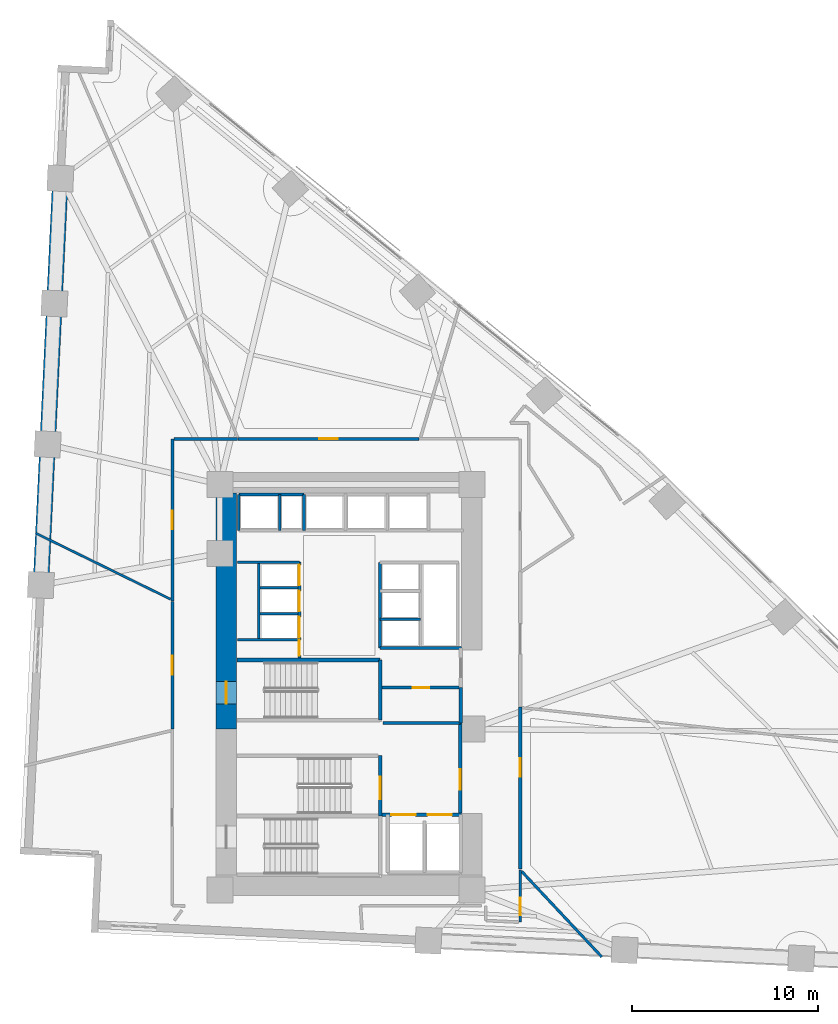
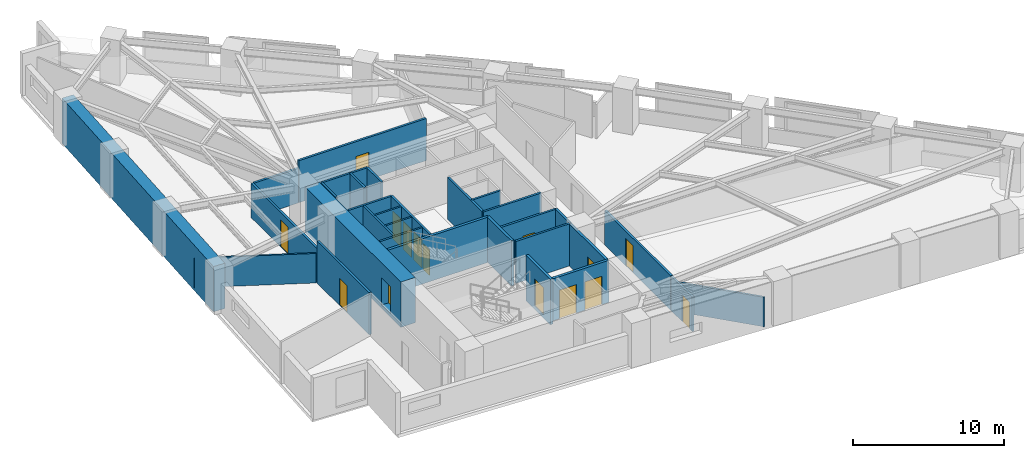
# One storey, part 13 of 17: 31 walls, 15 doors, 15 openings.
"""IFC4 building model written with IfcOpenShell, lengths in metres."""

from ifc_helpers import new_model, si_unit, direction, frame, frame_2d, origin, place, context, subcontext, project, spatial, rectangle, extrude, material, layer, layer_set, type_object, element, fill, save


model = new_model("IFC4")

# Units and contexts
model_context = context("Model", 3, precision=1e-05, world=origin(), true_north=direction((0.0, 1.0)))
body_context = subcontext(model_context, "Body", "Model", "MODEL_VIEW")
ifc_project = project(units=[si_unit("LENGTHUNIT", "METRE"), si_unit("AREAUNIT", "SQUARE_METRE"), si_unit("VOLUMEUNIT", "CUBIC_METRE"), si_unit("PLANEANGLEUNIT", "RADIAN"), si_unit("MASSUNIT", "GRAM", prefix="KILO")], contexts=[model_context])

# Site, building, storey
site_placement = place(None, origin())
site = spatial("IfcSite", under=ifc_project, at=site_placement, CompositionType="ELEMENT")
building_placement = place(site_placement, origin())
building = spatial("IfcBuilding", under=site, at=building_placement, Name="Narakoshi Arena Tower", CompositionType="ELEMENT")
storey_placement = place(building_placement, frame((0.0, 0.0, 48.300048828125)))
storey = spatial("IfcBuildingStorey", under=building, at=storey_placement, Name="L12", CompositionType="ELEMENT", Elevation=48.300048828125)

# Wall, opening, door
ifc_material_1 = material(Name="Concrete C60/75", Category="concrete")
ifc_layer_1 = layer(ifc_material_1, 1.10009765625)
ifc_layer_set_1 = layer_set([ifc_layer_1], Name="Concrete C60/75")
wall_type_1 = type_object("IfcWallType", Name="WL-CORE-1100", PredefinedType="SHEAR", material=ifc_layer_set_1)
wall_1_placement = place(storey_placement, frame((72.35009765625, 43.35009765625, -0.260009765625), z_axis=(0.0, 0.0, 1.0), x_axis=(0.0, 1.0, 0.0)))
wall_1 = element("IfcWall", 1, at=wall_1_placement, inside=storey, type_object=wall_type_1, Name="L12 Main Core Shear Wall CW-MN-W", PredefinedType="SHEAR", context=body_context, shape_type="SweptSolid", body=[
    extrude(rectangle(XDim=12.699951171875, YDim=1.10009765625, at=frame_2d((6.35009765625, 0.0))), origin(), (0.0, 0.0, 1.0), 3.659912109375),
])
opening_1_placement = place(wall_1_placement, frame((1.35009765625, 0.0, 0.260009765625)))
opening_1 = element("IfcOpeningElement", 2, at=opening_1_placement, cuts=wall_1, Name="Opening D-03", PredefinedType="OPENING", context=body_context, shape_type="SweptSolid", body=[
    extrude(rectangle(XDim=1.199951171875, YDim=2.199951171875, at=frame_2d((0.60009765625, 1.10009765625))), frame((0.0, 0.56005859375, 0.0), z_axis=(0.0, -1.0, 0.0), x_axis=(1.0, 0.0, 0.0)), (0.0, 0.0, 1.0), 1.1201171875),
])
ifc_material_2 = material(Name="Painted galvanized steel", Category="steel")
door_type_1 = type_object("IfcDoorType", Name="DR-STR-1200", OperationType="NOTDEFINED", PredefinedType="USERDEFINED", material=ifc_material_2)
door_1_placement = place(opening_1_placement, frame((1.199951171875, 0.0, 0.0), z_axis=(0.0, 0.0, 1.0), x_axis=(-1.0, 0.0, 0.0)))
door_1 = element("IfcDoor", 3, at=door_1_placement, inside=storey, type_object=door_type_1, Name="DR-L12-007", ObjectType="EXITDOOR", OperationType="SINGLE_SWING_LEFT", OverallHeight=2.199951171875, OverallWidth=1.199951171875, PredefinedType="USERDEFINED", context=body_context, shape_type="SweptSolid", body=[
    extrude(rectangle(XDim=1.199951171875, YDim=2.199951171875, at=frame_2d((0.60009765625, 1.10009765625))), frame((0.0, 0.02490234375, 0.0), z_axis=(0.0, -1.0, 0.0), x_axis=(1.0, 0.0, 0.0)), (0.0, 0.0, 1.0), 0.050048828125),
])
fill(opening_1, door_1)

ifc_material_3 = material(Name="Gypsum plasterboard fire-rated partition")
ifc_layer_2 = layer(ifc_material_3, 0.1650390625)
ifc_layer_set_2 = layer_set([ifc_layer_2], Name="Gypsum plasterboard fire-rated partition")
wall_type_2 = type_object("IfcWallType", Name="WL-CORR-165", PredefinedType="PARTITIONING", material=ifc_layer_set_2)
wall_2_placement = place(storey_placement, frame((88.14990234375, 35.816162109375, 0.0), z_axis=(0.0, 0.0, 1.0), x_axis=(0.0, 1.0, 0.0)))
wall_2 = element("IfcWall", 4, at=wall_2_placement, inside=storey, type_object=wall_type_2, Name="L12 Corridor Partition 03-1", PredefinedType="PARTITIONING", context=body_context, shape_type="SweptSolid", body=[
    extrude(rectangle(XDim=8.731201171875, YDim=0.1650390625, at=frame_2d((4.36572265625, 0.0))), origin(), (0.0, 0.0, 1.0), 2.784912109375),
])
opening_2_placement = place(wall_2_placement, frame((4.96533203125, 0.0, 0.0)))
opening_2 = element("IfcOpeningElement", 5, at=opening_2_placement, cuts=wall_2, Name="Opening D-06", PredefinedType="OPENING", context=body_context, shape_type="SweptSolid", body=[
    extrude(rectangle(XDim=1.0, YDim=2.199951171875, at=frame_2d((0.5, 1.10009765625))), frame((0.0, 0.092529296875, 0.0), z_axis=(0.0, -1.0, 0.0), x_axis=(1.0, 0.0, 0.0)), (0.0, 0.0, 1.0), 0.18505859375),
])
ifc_material_4 = material(Name="Stained oak solid-core timber", Category="wood")
door_type_2 = type_object("IfcDoorType", Name="DR-OFF-1000", OperationType="NOTDEFINED", PredefinedType="DOOR", material=ifc_material_4)
door_2_placement = place(opening_2_placement, frame((1.0, 0.0, 0.0), z_axis=(0.0, 0.0, 1.0), x_axis=(-1.0, 0.0, 0.0)))
door_2 = element("IfcDoor", 6, at=door_2_placement, inside=storey, type_object=door_type_2, Name="DR-L12-016", OperationType="SINGLE_SWING_RIGHT", OverallHeight=2.199951171875, OverallWidth=1.0, PredefinedType="DOOR", context=body_context, shape_type="SweptSolid", body=[
    extrude(rectangle(XDim=1.0, YDim=2.199951171875, at=frame_2d((0.5, 1.10009765625))), frame((0.0, 0.02490234375, 0.0), z_axis=(0.0, -1.0, 0.0), x_axis=(1.0, 0.0, 0.0)), (0.0, 0.0, 1.0), 0.050048828125),
])
fill(opening_2, door_2)

wall_3_placement = place(storey_placement, frame((82.7041015625, 58.949951171875, 0.0), z_axis=(0.0, 0.0, 1.0), x_axis=(-1.0, 0.0, 0.0)))
wall_3 = element("IfcWall", 7, at=wall_3_placement, inside=storey, type_object=wall_type_2, Name="L12 Corridor Partition 06-1", PredefinedType="PARTITIONING", context=body_context, shape_type="SweptSolid", body=[
    extrude(rectangle(XDim=9.7373046875, YDim=0.1650390625, at=frame_2d((4.86865234375, 0.0))), origin(), (0.0, 0.0, 1.0), 3.39990234375),
])
opening_3_placement = place(wall_3_placement, frame((4.36865234375, 0.0, 0.0)))
opening_3 = element("IfcOpeningElement", 8, at=opening_3_placement, cuts=wall_3, Name="Opening D-06", PredefinedType="OPENING", context=body_context, shape_type="SweptSolid", body=[
    extrude(rectangle(XDim=1.0, YDim=2.199951171875, at=frame_2d((0.5, 1.10009765625))), frame((0.0, 0.092529296875, 0.0), z_axis=(0.0, -1.0, 0.0), x_axis=(1.0, 0.0, 0.0)), (0.0, 0.0, 1.0), 0.18505859375),
])
door_3_placement = place(opening_3_placement, frame((1.0, 0.0, 0.0), z_axis=(0.0, 0.0, 1.0), x_axis=(-1.0, 0.0, 0.0)))
door_3 = element("IfcDoor", 9, at=door_3_placement, inside=storey, type_object=door_type_2, Name="DR-L12-019", OperationType="SINGLE_SWING_LEFT", OverallHeight=2.199951171875, OverallWidth=1.0, PredefinedType="DOOR", context=body_context, shape_type="SweptSolid", body=[
    extrude(rectangle(XDim=1.0, YDim=2.199951171875, at=frame_2d((0.5, 1.10009765625))), frame((0.0, 0.02490234375, 0.0), z_axis=(0.0, -1.0, 0.0), x_axis=(1.0, 0.0, 0.0)), (0.0, 0.0, 1.0), 0.050048828125),
])
fill(opening_3, door_3)

wall_4_placement = place(storey_placement, frame((69.449951171875, 58.949951171875, 0.0), z_axis=(0.0, 0.0, 1.0), x_axis=(0.0, -1.0, 0.0)))
wall_4 = element("IfcWall", 10, at=wall_4_placement, inside=storey, type_object=wall_type_2, Name="L12 Corridor Partition 07-1", PredefinedType="PARTITIONING", context=body_context, shape_type="SweptSolid", body=[
    extrude(rectangle(XDim=8.705322265625, YDim=0.1650390625, at=frame_2d((4.3525390625, 0.0))), origin(), (0.0, 0.0, 1.0), 2.784912109375),
])
opening_4_placement = place(wall_4_placement, frame((3.852783203125, 0.0, 0.0)))
opening_4 = element("IfcOpeningElement", 11, at=opening_4_placement, cuts=wall_4, Name="Opening D-06", PredefinedType="OPENING", context=body_context, shape_type="SweptSolid", body=[
    extrude(rectangle(XDim=1.0, YDim=2.199951171875, at=frame_2d((0.5, 1.10009765625))), frame((0.0, 0.092529296875, 0.0), z_axis=(0.0, -1.0, 0.0), x_axis=(1.0, 0.0, 0.0)), (0.0, 0.0, 1.0), 0.18505859375),
])
door_4_placement = place(opening_4_placement, frame((1.0, 0.0, 0.0), z_axis=(0.0, 0.0, 1.0), x_axis=(-1.0, 0.0, 0.0)))
door_4 = element("IfcDoor", 12, at=door_4_placement, inside=storey, type_object=door_type_2, Name="DR-L12-020", OperationType="SINGLE_SWING_RIGHT", OverallHeight=2.199951171875, OverallWidth=1.0, PredefinedType="DOOR", context=body_context, shape_type="SweptSolid", body=[
    extrude(rectangle(XDim=1.0, YDim=2.199951171875, at=frame_2d((0.5, 1.10009765625))), frame((0.0, 0.02490234375, 0.0), z_axis=(0.0, -1.0, 0.0), x_axis=(1.0, 0.0, 0.0)), (0.0, 0.0, 1.0), 0.050048828125),
])
fill(opening_4, door_4)

# Wall
wall_5_placement = place(storey_placement, frame((72.9404296875, 58.949951171875, 0.0), z_axis=(0.0, 0.0, 1.0), x_axis=(-1.0, 0.0, 0.0)))
element("IfcWall", 13, at=wall_5_placement, inside=storey, type_object=wall_type_2, Name="L12 Corridor Partition 07-2", PredefinedType="PARTITIONING", context=body_context, shape_type="SweptSolid", body=[
    extrude(rectangle(XDim=3.39599609375, YDim=0.1650390625, at=frame_2d((1.697998046875, 0.0))), origin(), (0.0, 0.0, 1.0), 2.784912109375),
])

# Wall, opening, door
wall_6_placement = place(storey_placement, frame((69.449951171875, 50.2177734375, 0.0), z_axis=(0.0, 0.0, 1.0), x_axis=(0.0, -1.0, 0.0)))
wall_6 = element("IfcWall", 14, at=wall_6_placement, inside=storey, type_object=wall_type_2, Name="L12 Corridor Partition 08-1", PredefinedType="PARTITIONING", context=body_context, shape_type="SweptSolid", body=[
    extrude(rectangle(XDim=6.8759765625, YDim=0.1650390625, at=frame_2d((3.43798828125, 0.0))), origin(), (0.0, 0.0, 1.0), 3.39990234375),
])
opening_5_placement = place(wall_6_placement, frame((2.93798828125, 0.0, 0.0)))
opening_5 = element("IfcOpeningElement", 15, at=opening_5_placement, cuts=wall_6, Name="Opening D-06", PredefinedType="OPENING", context=body_context, shape_type="SweptSolid", body=[
    extrude(rectangle(XDim=1.0, YDim=2.199951171875, at=frame_2d((0.5, 1.10009765625))), frame((0.0, 0.092529296875, 0.0), z_axis=(0.0, -1.0, 0.0), x_axis=(1.0, 0.0, 0.0)), (0.0, 0.0, 1.0), 0.18505859375),
])
door_5_placement = place(opening_5_placement, frame((1.0, 0.0, 0.0), z_axis=(0.0, 0.0, 1.0), x_axis=(-1.0, 0.0, 0.0)))
door_5 = element("IfcDoor", 16, at=door_5_placement, inside=storey, type_object=door_type_2, Name="DR-L12-021", OperationType="SINGLE_SWING_LEFT", OverallHeight=2.199951171875, OverallWidth=1.0, PredefinedType="DOOR", context=body_context, shape_type="SweptSolid", body=[
    extrude(rectangle(XDim=1.0, YDim=2.199951171875, at=frame_2d((0.5, 1.10009765625))), frame((0.0, 0.02490234375, 0.0), z_axis=(0.0, -1.0, 0.0), x_axis=(1.0, 0.0, 0.0)), (0.0, 0.0, 1.0), 0.050048828125),
])
fill(opening_5, door_5)

# Walls
ifc_layer_3 = layer(ifc_material_1, 0.85009765625)
ifc_layer_set_3 = layer_set([ifc_layer_3], Name="Concrete C60/75")
wall_type_3 = type_object("IfcWallType", Name="WL-LEG-850", PredefinedType="SHEAR", material=ifc_layer_set_3)
wall_7_placement = place(storey_placement, frame((63.42822265625, 72.95654296875, -0.260009765625), z_axis=(0.0, 0.0, 1.0), x_axis=(-0.047976309476, -0.998848473858, 0.0)))
element("IfcWall", 17, at=wall_7_placement, inside=storey, type_object=wall_type_3, Name="L12 Architectural Concrete Structural Wall LEGB-2", PredefinedType="SHEAR", context=body_context, shape_type="SweptSolid", body=[
    extrude(rectangle(XDim=21.891845703125, YDim=0.85009765625, at=frame_2d((10.94580078125, 0.0))), origin(), (0.0, 0.0, 1.0), 3.659912109375),
])
ifc_layer_4 = layer(ifc_material_3, 0.125)
ifc_layer_set_4 = layer_set([ifc_layer_4], Name="Gypsum plasterboard fire-rated partition")
wall_type_4 = type_object("IfcWallType", Name="WL-PART-125", PredefinedType="PARTITIONING", material=ifc_layer_set_4)
wall_8_placement = place(storey_placement, frame((69.35546875, 50.3310546875, 0.0), z_axis=(0.0, 0.0, 1.0), x_axis=(-0.898100885769, 0.439789493941, 0.0)))
element("IfcWall", 18, at=wall_8_placement, inside=storey, type_object=wall_type_4, Name="L12 Inter-Room Partition 07-08", PredefinedType="PARTITIONING", context=body_context, shape_type="SweptSolid", body=[
    extrude(rectangle(XDim=8.09326171875, YDim=0.125, at=frame_2d((4.046630859375, 0.0))), origin(), (0.0, 0.0, 1.0), 2.385009765625),
])
ifc_material_5 = material(Name="Concrete C40/50", Category="concrete")
ifc_layer_5 = layer(ifc_material_5, 0.280029296875)
ifc_layer_set_5 = layer_set([ifc_layer_5], Name="Concrete C40/50")
wall_type_5 = type_object("IfcWallType", Name="WL-RISER-280", PredefinedType="PLUMBINGWALL", material=ifc_layer_set_5)
wall_9_placement = place(storey_placement, frame((84.949951171875, 43.679931640625, 0.0), z_axis=(0.0, 0.0, 1.0), x_axis=(0.0, 1.0, 0.0)))
element("IfcWall", 19, at=wall_9_placement, inside=storey, type_object=wall_type_5, Name="L12 Core Wall RSR-E", PredefinedType="PLUMBINGWALL", context=body_context, shape_type="SweptSolid", body=[
    extrude(rectangle(XDim=1.900146484375, YDim=0.1650390625, at=frame_2d((0.9501953125, 0.0))), origin(), (0.0, 0.0, 1.0), 3.39990234375),
])

# Wall, opening, door
wall_10_placement = place(storey_placement, frame((80.719970703125, 45.580078125, 0.0), z_axis=(0.0, 0.0, 1.0), x_axis=(1.0, 0.0, 0.0)))
wall_10 = element("IfcWall", 20, at=wall_10_placement, inside=storey, type_object=wall_type_5, Name="L12 Core Wall RSR-N", PredefinedType="PLUMBINGWALL", context=body_context, shape_type="SweptSolid", body=[
    extrude(rectangle(XDim=4.22998046875, YDim=0.159912109375, at=frame_2d((2.114990234375, 0.0))), origin(), (0.0, 0.0, 1.0), 3.39990234375),
])
opening_6_placement = place(wall_10_placement, frame((1.64990234375, 0.0, 0.0)))
opening_6 = element("IfcOpeningElement", 21, at=opening_6_placement, cuts=wall_10, Name="Opening D-08", PredefinedType="OPENING", context=body_context, shape_type="SweptSolid", body=[
    extrude(rectangle(XDim=0.89990234375, YDim=2.10009765625, at=frame_2d((0.449951171875, 1.050048828125))), frame((0.0, 0.08984375, 0.0), z_axis=(0.0, -1.0, 0.0), x_axis=(1.0, 0.0, 0.0)), (0.0, 0.0, 1.0), 0.179931640625),
])
ifc_material_6 = material(Name="Moisture-resistant laminate timber", Category="wood")
door_type_3 = type_object("IfcDoorType", Name="DR-WC-900", OperationType="NOTDEFINED", PredefinedType="DOOR", material=ifc_material_6)
door_6_placement = place(opening_6_placement, frame((0.89990234375, 0.0, 0.0), z_axis=(0.0, 0.0, 1.0), x_axis=(-1.0, 0.0, 0.0)))
door_6 = element("IfcDoor", 22, at=door_6_placement, inside=storey, type_object=door_type_3, Name="DR-L12-009", OperationType="SINGLE_SWING_LEFT", OverallHeight=2.10009765625, OverallWidth=0.89990234375, PredefinedType="DOOR", context=body_context, shape_type="SweptSolid", body=[
    extrude(rectangle(XDim=0.89990234375, YDim=2.10009765625, at=frame_2d((0.449951171875, 1.050048828125))), frame((0.0, 0.02490234375, 0.0), z_axis=(0.0, -1.0, 0.0), x_axis=(1.0, 0.0, 0.0)), (0.0, 0.0, 1.0), 0.050048828125),
])
fill(opening_6, door_6)

# Walls
wall_11_placement = place(storey_placement, frame((80.760009765625, 43.679931640625, 0.0), z_axis=(0.0, 0.0, 1.0), x_axis=(1.0, 0.0, 0.0)))
element("IfcWall", 23, at=wall_11_placement, inside=storey, type_object=wall_type_5, Name="L12 Core Wall RSR-S", PredefinedType="PLUMBINGWALL", context=body_context, shape_type="SweptSolid", body=[
    extrude(rectangle(XDim=4.18994140625, YDim=0.159912109375, at=frame_2d((2.094970703125, 0.0))), origin(), (0.0, 0.0, 1.0), 3.39990234375),
])
wall_12_placement = place(storey_placement, frame((72.949951171875, 48.159912109375, 0.0), z_axis=(0.0, 0.0, 1.0), x_axis=(1.0, 0.0, 0.0)))
element("IfcWall", 24, at=wall_12_placement, inside=storey, type_object=wall_type_5, Name="L12 Core Wall LR-S0", PredefinedType="PLUMBINGWALL", context=body_context, shape_type="SweptSolid", body=[
    extrude(rectangle(XDim=3.239990234375, YDim=0.139892578125, at=frame_2d((1.6201171875, 0.0))), origin(), (0.0, 0.0, 1.0), 3.39990234375),
])
for number, where, z_axis, x_axis, name in (
    (25, (74.14990234375, 49.550048828125, 0.0), (0.0, 0.0, 1.0), (1.0, 0.0, 0.0), "L12 Core Wall LR-D1"),
    (26, (74.14990234375, 50.949951171875, 0.0), (0.0, 0.0, 1.0), (1.0, 0.0, 0.0), "L12 Core Wall LR-D2"),
):
    element("IfcWall", number, at=place(storey_placement, frame(where, z_axis=z_axis, x_axis=x_axis)), inside=storey, type_object=wall_type_5, Name=name, PredefinedType="PLUMBINGWALL", context=body_context, shape_type="SweptSolid", body=[
        extrude(rectangle(XDim=2.0400390625, YDim=0.139892578125, at=frame_2d((1.02001953125, 0.0))), origin(), (0.0, 0.0, 1.0), 3.39990234375),
    ])
wall_13_placement = place(storey_placement, frame((74.10009765625, 48.159912109375, 0.0), z_axis=(0.0, 0.0, 1.0), x_axis=(0.0, 1.0, 0.0)))
element("IfcWall", 27, at=wall_13_placement, inside=storey, type_object=wall_type_5, Name="L12 Core Wall LR-W", PredefinedType="PLUMBINGWALL", context=body_context, shape_type="SweptSolid", body=[
    extrude(rectangle(XDim=4.16015625, YDim=0.139892578125, at=frame_2d((2.080078125, 0.0))), origin(), (0.0, 0.0, 1.0), 3.39990234375),
])
wall_14_placement = place(storey_placement, frame((80.60009765625, 49.260009765625, 0.0), z_axis=(0.0, 0.0, 1.0), x_axis=(1.0, 0.0, 0.0)))
element("IfcWall", 28, at=wall_14_placement, inside=storey, type_object=wall_type_5, Name="L12 Core Wall MR-D1", PredefinedType="PLUMBINGWALL", context=body_context, shape_type="SweptSolid", body=[
    extrude(rectangle(XDim=2.199951171875, YDim=0.14990234375, at=frame_2d((1.10009765625, 0.0))), origin(), (0.0, 0.0, 1.0), 3.39990234375),
])
for number, where, z_axis, x_axis, name in (
    (29, (73.02001953125, 54.02001953125, 0.0), (0.0, 0.0, 1.0), (0.0, 1.0, 0.0), "L12 Core Wall OBS-W"),
    (30, (75.219970703125, 54.02001953125, 0.0), (0.0, 0.0, 1.0), (0.0, 1.0, 0.0), "L12 Core Wall OBS-M"),
):
    element("IfcWall", number, at=place(storey_placement, frame(where, z_axis=z_axis, x_axis=x_axis)), inside=storey, type_object=wall_type_5, Name=name, PredefinedType="PLUMBINGWALL", context=body_context, shape_type="SweptSolid", body=[
        extrude(rectangle(XDim=1.93994140625, YDim=0.14990234375, at=frame_2d((0.969970703125, 0.0))), origin(), (0.0, 0.0, 1.0), 3.39990234375),
    ])

# Wall, opening, door
ifc_material_7 = material(Name="Concrete C50/60", Category="concrete")
ifc_layer_6 = layer(ifc_material_7, 0.35009765625)
ifc_layer_set_6 = layer_set([ifc_layer_6], Name="Concrete C50/60")
wall_type_6 = type_object("IfcWallType", Name="WL-SHAFT-350", PredefinedType="SOLIDWALL", material=ifc_layer_set_6)
wall_15_placement = place(storey_placement, frame((80.6201171875, 38.675048828125, -0.260009765625), z_axis=(0.0, 0.0, 1.0), x_axis=(0.0, 1.0, 0.0)))
wall_15 = element("IfcWall", 31, at=wall_15_placement, inside=storey, type_object=wall_type_6, Name="L12 Core Wall ST2-E", PredefinedType="SOLIDWALL", context=body_context, shape_type="SweptSolid", body=[
    extrude(rectangle(XDim=3.244873046875, YDim=0.199951171875, at=frame_2d((1.62255859375, 0.0))), origin(), (0.0, 0.0, 1.0), 3.659912109375),
])
opening_7_placement = place(wall_15_placement, frame((0.89990234375, 0.0, 0.260009765625)))
opening_7 = element("IfcOpeningElement", 32, at=opening_7_placement, cuts=wall_15, Name="Opening D-03", PredefinedType="OPENING", context=body_context, shape_type="SweptSolid", body=[
    extrude(rectangle(XDim=1.199951171875, YDim=2.199951171875, at=frame_2d((0.60009765625, 1.10009765625))), frame((0.0, 0.10986328125, 0.0), z_axis=(0.0, -1.0, 0.0), x_axis=(1.0, 0.0, 0.0)), (0.0, 0.0, 1.0), 0.219970703125),
])
door_7_placement = place(opening_7_placement, origin())
door_7 = element("IfcDoor", 33, at=door_7_placement, inside=storey, type_object=door_type_1, Name="DR-L12-003", ObjectType="EXITDOOR", OperationType="SINGLE_SWING_RIGHT", OverallHeight=2.199951171875, OverallWidth=1.199951171875, PredefinedType="USERDEFINED", context=body_context, shape_type="SweptSolid", body=[
    extrude(rectangle(XDim=1.199951171875, YDim=2.199951171875, at=frame_2d((0.60009765625, 1.10009765625))), frame((0.0, 0.02490234375, 0.0), z_axis=(0.0, -1.0, 0.0), x_axis=(1.0, 0.0, 0.0)), (0.0, 0.0, 1.0), 0.050048828125),
])
fill(opening_7, door_7)

# Wall, openings, doors
wall_16_placement = place(storey_placement, frame((80.719970703125, 38.75, 0.0), z_axis=(0.0, 0.0, 1.0), x_axis=(1.0, 0.0, 0.0)))
wall_16 = element("IfcWall", 34, at=wall_16_placement, inside=storey, type_object=wall_type_6, Name="L12 Core Wall FF-N", PredefinedType="SOLIDWALL", context=body_context, shape_type="SweptSolid", body=[
    extrude(rectangle(XDim=4.260009765625, YDim=0.199951171875, at=frame_2d((2.1298828125, 0.0))), origin(), (0.0, 0.0, 1.0), 3.39990234375),
])
opening_8_placement = place(wall_16_placement, frame((0.5, 0.0, 0.0)))
opening_8 = element("IfcOpeningElement", 35, at=opening_8_placement, cuts=wall_16, Name="Opening LD-02", PredefinedType="OPENING", context=body_context, shape_type="SweptSolid", body=[
    extrude(rectangle(XDim=1.300048828125, YDim=2.300048828125, at=frame_2d((0.64990234375, 1.14990234375))), frame((0.0, 0.10986328125, 0.0), z_axis=(0.0, -1.0, 0.0), x_axis=(1.0, 0.0, 0.0)), (0.0, 0.0, 1.0), 0.219970703125),
])
opening_9_placement = place(wall_16_placement, frame((2.449951171875, 0.0, 0.0)))
opening_9 = element("IfcOpeningElement", 36, at=opening_9_placement, cuts=wall_16, Name="Opening LD-02", PredefinedType="OPENING", context=body_context, shape_type="SweptSolid", body=[
    extrude(rectangle(XDim=1.300048828125, YDim=2.300048828125, at=frame_2d((0.64990234375, 1.14990234375))), frame((0.0, 0.10986328125, 0.0), z_axis=(0.0, -1.0, 0.0), x_axis=(1.0, 0.0, 0.0)), (0.0, 0.0, 1.0), 0.219970703125),
])
ifc_material_8 = material(Name="Brushed bronze stainless steel", Category="steel")
door_type_4 = type_object("IfcDoorType", Name="DR-LFT-1300", OperationType="DOUBLE_DOOR_SLIDING", PredefinedType="DOOR", material=ifc_material_8)
door_8_placement = place(opening_8_placement, origin())
door_8 = element("IfcDoor", 37, at=door_8_placement, inside=storey, type_object=door_type_4, Name="DR-L12-004", OperationType="DOUBLE_DOOR_SLIDING", OverallHeight=2.300048828125, OverallWidth=1.300048828125, PredefinedType="DOOR", context=body_context, shape_type="SweptSolid", body=[
    extrude(rectangle(XDim=1.300048828125, YDim=2.300048828125, at=frame_2d((0.64990234375, 1.14990234375))), frame((0.0, 0.02490234375, 0.0), z_axis=(0.0, -1.0, 0.0), x_axis=(1.0, 0.0, 0.0)), (0.0, 0.0, 1.0), 0.050048828125),
])
fill(opening_8, door_8)
door_9_placement = place(opening_9_placement, origin())
door_9 = element("IfcDoor", 38, at=door_9_placement, inside=storey, type_object=door_type_4, Name="DR-L12-005", OperationType="DOUBLE_DOOR_SLIDING", OverallHeight=2.300048828125, OverallWidth=1.300048828125, PredefinedType="DOOR", context=body_context, shape_type="SweptSolid", body=[
    extrude(rectangle(XDim=1.300048828125, YDim=2.300048828125, at=frame_2d((0.64990234375, 1.14990234375))), frame((0.0, 0.02490234375, 0.0), z_axis=(0.0, -1.0, 0.0), x_axis=(1.0, 0.0, 0.0)), (0.0, 0.0, 1.0), 0.050048828125),
])
fill(opening_9, door_9)

# Wall, opening, door
wall_17_placement = place(storey_placement, frame((84.919921875, 38.85009765625, 0.0), z_axis=(0.0, 0.0, 1.0), x_axis=(0.0, 1.0, 0.0)))
wall_17 = element("IfcWall", 39, at=wall_17_placement, inside=storey, type_object=wall_type_6, Name="L12 Core Wall FFLOB-E", PredefinedType="SOLIDWALL", context=body_context, shape_type="SweptSolid", body=[
    extrude(rectangle(XDim=4.829833984375, YDim=0.199951171875, at=frame_2d((2.4150390625, 0.0))), origin(), (0.0, 0.0, 1.0), 3.39990234375),
])
opening_10_placement = place(wall_17_placement, frame((1.25, 0.0, 0.0)))
opening_10 = element("IfcOpeningElement", 40, at=opening_10_placement, cuts=wall_17, Name="Opening D-04", PredefinedType="OPENING", context=body_context, shape_type="SweptSolid", body=[
    extrude(rectangle(XDim=1.10009765625, YDim=2.199951171875, at=frame_2d((0.550048828125, 1.10009765625))), frame((0.0, 0.10986328125, 0.0), z_axis=(0.0, -1.0, 0.0), x_axis=(1.0, 0.0, 0.0)), (0.0, 0.0, 1.0), 0.219970703125),
])
door_type_5 = type_object("IfcDoorType", Name="DR-FFL-1100", OperationType="NOTDEFINED", PredefinedType="DOOR", material=ifc_material_2)
door_10_placement = place(opening_10_placement, frame((1.10009765625, 0.0, 0.0), z_axis=(0.0, 0.0, 1.0), x_axis=(-1.0, 0.0, 0.0)))
door_10 = element("IfcDoor", 41, at=door_10_placement, inside=storey, type_object=door_type_5, Name="DR-L12-006", OperationType="SINGLE_SWING_RIGHT", OverallHeight=2.199951171875, OverallWidth=1.10009765625, PredefinedType="DOOR", context=body_context, shape_type="SweptSolid", body=[
    extrude(rectangle(XDim=1.10009765625, YDim=2.199951171875, at=frame_2d((0.550048828125, 1.10009765625))), frame((0.0, 0.02490234375, 0.0), z_axis=(0.0, -1.0, 0.0), x_axis=(1.0, 0.0, 0.0)), (0.0, 0.0, 1.0), 0.050048828125),
])
fill(opening_10, door_10)

# Walls
wall_18_placement = place(storey_placement, frame((72.919921875, 47.070068359375, -0.260009765625), z_axis=(0.0, 0.0, 1.0), x_axis=(1.0, 0.0, 0.0)))
element("IfcWall", 42, at=wall_18_placement, inside=storey, type_object=wall_type_6, Name="L12 Core Wall ST3-N", PredefinedType="SOLIDWALL", context=body_context, shape_type="SweptSolid", body=[
    extrude(rectangle(XDim=7.7001953125, YDim=0.199951171875, at=frame_2d((3.85009765625, 0.0))), origin(), (0.0, 0.0, 1.0), 3.659912109375),
])
wall_19_placement = place(storey_placement, frame((80.6201171875, 43.830078125, -0.260009765625), z_axis=(0.0, 0.0, 1.0), x_axis=(0.0, 1.0, 0.0)))
element("IfcWall", 43, at=wall_19_placement, inside=storey, type_object=wall_type_6, Name="L12 Core Wall ST3-E", PredefinedType="SOLIDWALL", context=body_context, shape_type="SweptSolid", body=[
    extrude(rectangle(XDim=3.239990234375, YDim=0.199951171875, at=frame_2d((1.6201171875, 0.0))), origin(), (0.0, 0.0, 1.0), 3.659912109375),
])

# Wall, openings, doors
wall_20_placement = place(storey_placement, frame((76.280029296875, 47.179931640625, 0.0), z_axis=(0.0, 0.0, 1.0), x_axis=(0.0, 1.0, 0.0)))
wall_20 = element("IfcWall", 44, at=wall_20_placement, inside=storey, type_object=wall_type_6, Name="L12 Core Wall LR-E", PredefinedType="SOLIDWALL", context=body_context, shape_type="SweptSolid", body=[
    extrude(rectangle(XDim=5.14013671875, YDim=0.159912109375, at=frame_2d((2.570068359375, 0.0))), origin(), (0.0, 0.0, 1.0), 3.39990234375),
])
opening_11_placement = place(wall_20_placement, frame((1.10009765625, 0.0, 0.0)))
opening_11 = element("IfcOpeningElement", 45, at=opening_11_placement, cuts=wall_20, Name="Opening LD-01", PredefinedType="OPENING", context=body_context, shape_type="SweptSolid", body=[
    extrude(rectangle(XDim=1.10009765625, YDim=2.25, at=frame_2d((0.550048828125, 1.125))), frame((0.0, 0.08984375, 0.0), z_axis=(0.0, -1.0, 0.0), x_axis=(1.0, 0.0, 0.0)), (0.0, 0.0, 1.0), 0.179931640625),
])
opening_12_placement = place(wall_20_placement, frame((2.5, 0.0, 0.0)))
opening_12 = element("IfcOpeningElement", 46, at=opening_12_placement, cuts=wall_20, Name="Opening LD-01", PredefinedType="OPENING", context=body_context, shape_type="SweptSolid", body=[
    extrude(rectangle(XDim=1.10009765625, YDim=2.25, at=frame_2d((0.550048828125, 1.125))), frame((0.0, 0.08984375, 0.0), z_axis=(0.0, -1.0, 0.0), x_axis=(1.0, 0.0, 0.0)), (0.0, 0.0, 1.0), 0.179931640625),
])
opening_13_placement = place(wall_20_placement, frame((3.89990234375, 0.0, 0.0)))
opening_13 = element("IfcOpeningElement", 47, at=opening_13_placement, cuts=wall_20, Name="Opening LD-01", PredefinedType="OPENING", context=body_context, shape_type="SweptSolid", body=[
    extrude(rectangle(XDim=1.10009765625, YDim=2.25, at=frame_2d((0.550048828125, 1.125))), frame((0.0, 0.08984375, 0.0), z_axis=(0.0, -1.0, 0.0), x_axis=(1.0, 0.0, 0.0)), (0.0, 0.0, 1.0), 0.179931640625),
])
opening_14_placement = place(wall_20_placement, frame((0.1201171875, 0.0, 0.0)))
opening_14 = element("IfcOpeningElement", 48, at=opening_14_placement, cuts=wall_20, Name="Opening D-10", PredefinedType="OPENING", context=body_context, shape_type="SweptSolid", body=[
    extrude(rectangle(XDim=0.85009765625, YDim=2.050048828125, at=frame_2d((0.425048828125, 1.02490234375))), frame((0.0, 0.08984375, 0.0), z_axis=(0.0, -1.0, 0.0), x_axis=(1.0, 0.0, 0.0)), (0.0, 0.0, 1.0), 0.179931640625),
])
door_type_6 = type_object("IfcDoorType", Name="DR-LFT-1100", OperationType="DOUBLE_DOOR_SLIDING", PredefinedType="DOOR", material=ifc_material_8)
door_11_placement = place(opening_11_placement, origin())
door_11 = element("IfcDoor", 49, at=door_11_placement, inside=storey, type_object=door_type_6, Name="DR-L12-010", OperationType="DOUBLE_DOOR_SLIDING", OverallHeight=2.25, OverallWidth=1.10009765625, PredefinedType="DOOR", context=body_context, shape_type="SweptSolid", body=[
    extrude(rectangle(XDim=1.10009765625, YDim=2.25, at=frame_2d((0.550048828125, 1.125))), frame((0.0, 0.02490234375, 0.0), z_axis=(0.0, -1.0, 0.0), x_axis=(1.0, 0.0, 0.0)), (0.0, 0.0, 1.0), 0.050048828125),
])
fill(opening_11, door_11)
door_12_placement = place(opening_12_placement, origin())
door_12 = element("IfcDoor", 50, at=door_12_placement, inside=storey, type_object=door_type_6, Name="DR-L12-011", OperationType="DOUBLE_DOOR_SLIDING", OverallHeight=2.25, OverallWidth=1.10009765625, PredefinedType="DOOR", context=body_context, shape_type="SweptSolid", body=[
    extrude(rectangle(XDim=1.10009765625, YDim=2.25, at=frame_2d((0.550048828125, 1.125))), frame((0.0, 0.02490234375, 0.0), z_axis=(0.0, -1.0, 0.0), x_axis=(1.0, 0.0, 0.0)), (0.0, 0.0, 1.0), 0.050048828125),
])
fill(opening_12, door_12)
door_13_placement = place(opening_13_placement, origin())
door_13 = element("IfcDoor", 51, at=door_13_placement, inside=storey, type_object=door_type_6, Name="DR-L12-012", OperationType="DOUBLE_DOOR_SLIDING", OverallHeight=2.25, OverallWidth=1.10009765625, PredefinedType="DOOR", context=body_context, shape_type="SweptSolid", body=[
    extrude(rectangle(XDim=1.10009765625, YDim=2.25, at=frame_2d((0.550048828125, 1.125))), frame((0.0, 0.02490234375, 0.0), z_axis=(0.0, -1.0, 0.0), x_axis=(1.0, 0.0, 0.0)), (0.0, 0.0, 1.0), 0.050048828125),
])
fill(opening_13, door_13)
door_type_7 = type_object("IfcDoorType", Name="DR-RSR-850", OperationType="NOTDEFINED", PredefinedType="DOOR", material=ifc_material_2)
door_14_placement = place(opening_14_placement, frame((0.85009765625, 0.0, 0.0), z_axis=(0.0, 0.0, 1.0), x_axis=(-1.0, 0.0, 0.0)))
door_14 = element("IfcDoor", 52, at=door_14_placement, inside=storey, type_object=door_type_7, Name="DR-L12-013", OperationType="SINGLE_SWING_LEFT", OverallHeight=2.050048828125, OverallWidth=0.85009765625, PredefinedType="DOOR", context=body_context, shape_type="SweptSolid", body=[
    extrude(rectangle(XDim=0.85009765625, YDim=2.050048828125, at=frame_2d((0.425048828125, 1.02490234375))), frame((0.0, 0.02490234375, 0.0), z_axis=(0.0, -1.0, 0.0), x_axis=(1.0, 0.0, 0.0)), (0.0, 0.0, 1.0), 0.050048828125),
])
fill(opening_14, door_14)

# Walls
wall_21_placement = place(storey_placement, frame((72.949951171875, 52.320068359375, 0.0), z_axis=(0.0, 0.0, 1.0), x_axis=(1.0, 0.0, 0.0)))
element("IfcWall", 53, at=wall_21_placement, inside=storey, type_object=wall_type_6, Name="L12 Core Wall LR-N", PredefinedType="SOLIDWALL", context=body_context, shape_type="SweptSolid", body=[
    extrude(rectangle(XDim=3.330078125, YDim=0.14990234375, at=frame_2d((1.6650390625, 0.0))), origin(), (0.0, 0.0, 1.0), 3.39990234375),
])
wall_22_placement = place(storey_placement, frame((80.60009765625, 47.699951171875, 0.0), z_axis=(0.0, 0.0, 1.0), x_axis=(0.0, 1.0, 0.0)))
element("IfcWall", 54, at=wall_22_placement, inside=storey, type_object=wall_type_6, Name="L12 Core Wall MR-W", PredefinedType="SOLIDWALL", context=body_context, shape_type="SweptSolid", body=[
    extrude(rectangle(XDim=4.60009765625, YDim=0.159912109375, at=frame_2d((2.300048828125, 0.0))), origin(), (0.0, 0.0, 1.0), 3.39990234375),
])
wall_23_placement = place(storey_placement, frame((80.60009765625, 47.699951171875, 0.0), z_axis=(0.0, 0.0, 1.0), x_axis=(1.0, 0.0, 0.0)))
element("IfcWall", 55, at=wall_23_placement, inside=storey, type_object=wall_type_6, Name="L12 Core Wall MR-S", PredefinedType="SOLIDWALL", context=body_context, shape_type="SweptSolid", body=[
    extrude(rectangle(XDim=4.39990234375, YDim=0.159912109375, at=frame_2d((2.199951171875, 0.0))), origin(), (0.0, 0.0, 1.0), 3.39990234375),
])
wall_24_placement = place(storey_placement, frame((73.02001953125, 55.9599609375, 0.0), z_axis=(0.0, 0.0, 1.0), x_axis=(1.0, 0.0, 0.0)))
element("IfcWall", 56, at=wall_24_placement, inside=storey, type_object=wall_type_6, Name="L12 Core Wall OBS-N", PredefinedType="SOLIDWALL", context=body_context, shape_type="SweptSolid", body=[
    extrude(rectangle(XDim=3.5, YDim=0.14990234375, at=frame_2d((1.75, 0.0))), origin(), (0.0, 0.0, 1.0), 3.39990234375),
])
wall_25_placement = place(storey_placement, frame((76.52001953125, 54.02001953125, 0.0), z_axis=(0.0, 0.0, 1.0), x_axis=(0.0, 1.0, 0.0)))
element("IfcWall", 57, at=wall_25_placement, inside=storey, type_object=wall_type_6, Name="L12 Core Wall OBS-E", PredefinedType="SOLIDWALL", context=body_context, shape_type="SweptSolid", body=[
    extrude(rectangle(XDim=1.93994140625, YDim=0.14990234375, at=frame_2d((0.969970703125, 0.0))), origin(), (0.0, 0.0, 1.0), 3.39990234375),
])

# Wall, opening, door
ifc_material_9 = material(Name="Moisture-resistant cement-board partition")
ifc_layer_7 = layer(ifc_material_9, 0.14501953125)
ifc_layer_set_7 = layer_set([ifc_layer_7], Name="Moisture-resistant cement-board partition")
wall_type_7 = type_object("IfcWallType", Name="WL-WET-145", PredefinedType="PARTITIONING", material=ifc_layer_set_7)
wall_26_placement = place(storey_placement, frame((88.14990234375, 32.968505859375, 0.0), z_axis=(0.0, 0.0, 1.0), x_axis=(0.0, 1.0, 0.0)))
wall_26 = element("IfcWall", 58, at=wall_26_placement, inside=storey, type_object=wall_type_7, Name="L12 Corridor Partition 02-1", PredefinedType="PARTITIONING", context=body_context, shape_type="SweptSolid", body=[
    extrude(rectangle(XDim=2.812744140625, YDim=0.14501953125, at=frame_2d((1.40625, 0.0))), origin(), (0.0, 0.0, 1.0), 2.784912109375),
])
opening_15_placement = place(wall_26_placement, frame((0.37548828125, 0.0, 0.0)))
opening_15 = element("IfcOpeningElement", 59, at=opening_15_placement, cuts=wall_26, Name="Opening D-07", PredefinedType="OPENING", context=body_context, shape_type="SweptSolid", body=[
    extrude(rectangle(XDim=0.949951171875, YDim=2.14990234375, at=frame_2d((0.47509765625, 1.074951171875))), frame((0.0, 0.08251953125, 0.0), z_axis=(0.0, -1.0, 0.0), x_axis=(1.0, 0.0, 0.0)), (0.0, 0.0, 1.0), 0.1650390625),
])
door_type_8 = type_object("IfcDoorType", Name="DR-ACC-950", OperationType="NOTDEFINED", PredefinedType="DOOR", material=ifc_material_4)
door_15_placement = place(opening_15_placement, frame((0.949951171875, 0.0, 0.0), z_axis=(0.0, 0.0, 1.0), x_axis=(-1.0, 0.0, 0.0)))
door_15 = element("IfcDoor", 60, at=door_15_placement, inside=storey, type_object=door_type_8, Name="DR-L12-015", OperationType="SINGLE_SWING_RIGHT", OverallHeight=2.14990234375, OverallWidth=0.949951171875, PredefinedType="DOOR", context=body_context, shape_type="SweptSolid", body=[
    extrude(rectangle(XDim=0.949951171875, YDim=2.14990234375, at=frame_2d((0.47509765625, 1.074951171875))), frame((0.0, 0.02490234375, 0.0), z_axis=(0.0, -1.0, 0.0), x_axis=(1.0, 0.0, 0.0)), (0.0, 0.0, 1.0), 0.050048828125),
])
fill(opening_15, door_15)

# Wall
wall_27_placement = place(storey_placement, frame((88.234619140625, 35.691162109375, 0.0), z_axis=(0.0, 0.0, 1.0), x_axis=(0.683667039651, -0.729794066086, 0.0)))
element("IfcWall", 61, at=wall_27_placement, inside=storey, type_object=wall_type_7, Name="L12 Inter-Room Partition 02-03", PredefinedType="PARTITIONING", context=body_context, shape_type="SweptSolid", body=[
    extrude(rectangle(XDim=6.282470703125, YDim=0.14501953125, at=frame_2d((3.14111328125, 0.0))), origin(), (0.0, 0.0, 1.0), 2.385009765625),
])

save(model, "model.ifc")
